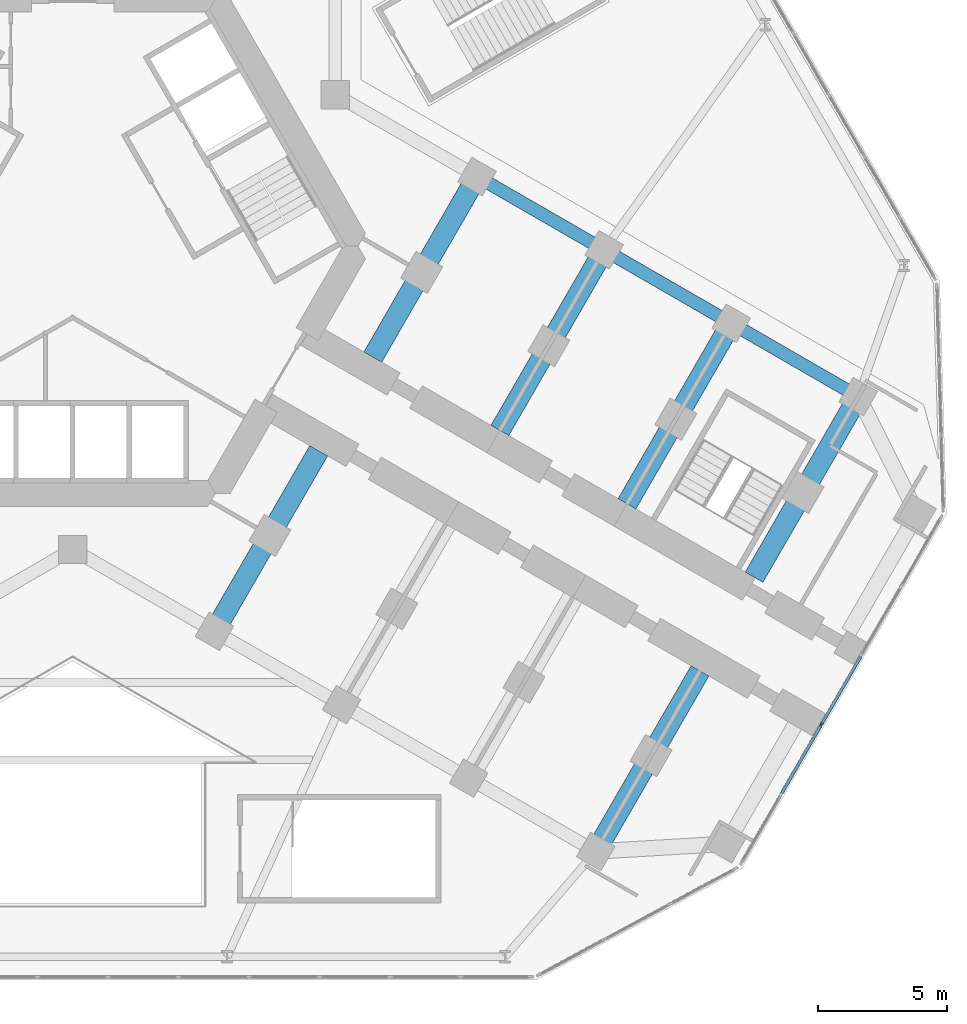
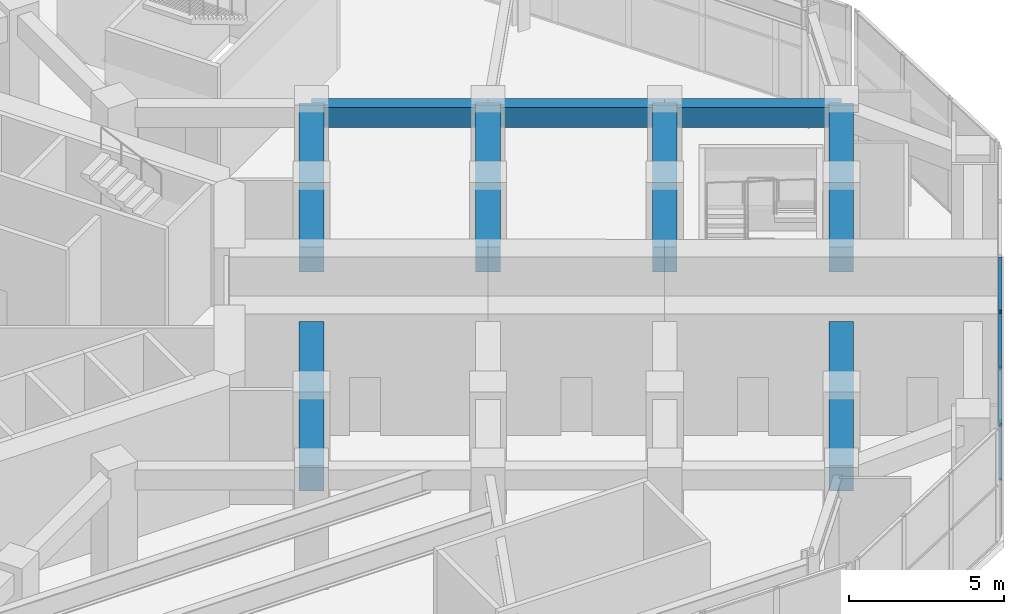
# One storey, part 6 of 22: 9 beams, 7 members, 1 element without a shape of its own.
"""IFC4 building model written with IfcOpenShell, lengths in metres."""

from ifc_helpers import new_model, si_unit, direction, frame, origin, origin_2d, place, context, subcontext, project, spatial, rectangle, extrude, material, material_profile, profile_set, type_object, element, aggregate, save


model = new_model("IFC4")

# Units and contexts
model_context = context("Model", 3, precision=1e-05, world=origin(), true_north=direction((0.0, 1.0)))
body_context = subcontext(model_context, "Body", "Model", "MODEL_VIEW")
ifc_project = project(units=[si_unit("LENGTHUNIT", "METRE"), si_unit("AREAUNIT", "SQUARE_METRE"), si_unit("VOLUMEUNIT", "CUBIC_METRE"), si_unit("PLANEANGLEUNIT", "RADIAN"), si_unit("MASSUNIT", "GRAM", prefix="KILO")], contexts=[model_context])

# Site, building, storey
site_placement = place(None, origin())
site = spatial("IfcSite", under=ifc_project, at=site_placement, CompositionType="ELEMENT")
building_placement = place(site_placement, origin())
building = spatial("IfcBuilding", under=site, at=building_placement, Name="Kosmar Iwan School Tower", CompositionType="ELEMENT")
storey_placement = place(building_placement, frame((0.0, 0.0, 15.60009765625)))
storey = spatial("IfcBuildingStorey", under=building, at=storey_placement, Name="L03", CompositionType="ELEMENT", Elevation=15.60009765625)

# Curtain wall, member
ifc_material_1 = material(Name="Dark glass in black aluminium frame", Category="aluminium")
curtain_wall_type = type_object("IfcCurtainWallType", Name="Tower curtain wall dark glass", PredefinedType="USERDEFINED", material=ifc_material_1)
curtain_wall_placement = place(storey_placement, origin())
curtain_wall = element("IfcCurtainWall", 1, at=curtain_wall_placement, inside=storey, type_object=curtain_wall_type, Name="Curtain wall L03-F02", ObjectType="UNITISED CURTAIN WALL", PredefinedType="USERDEFINED")
ifc_material_2 = material(Name="Black anodised aluminium", Category="aluminium")
ifc_material_profile_1 = material_profile(ifc_material_2, rectangle(XDim=0.06494140625, YDim=0.219970703125, at=origin_2d()), Name="MULLION 65x220")
ifc_profile_set_1 = profile_set([ifc_material_profile_1], Name="Black anodised aluminium")
member_type_1 = type_object("IfcMemberType", Name="Podium mullion 65x220", PredefinedType="MULLION", material=ifc_profile_set_1)
member_1_placement = place(storey_placement, frame((29.079833984375, -18.582275390625, 0.0), z_axis=(0.0, 0.0, 1.0), x_axis=(-0.866025395669, 0.500000014057, 0.0)))
member_1 = element("IfcMember", 2, at=member_1_placement, type_object=member_type_1, Name="CW1 mullion 3", PredefinedType="MULLION", context=body_context, shape_type="SweptSolid", body=[
    extrude(rectangle(XDim=0.06494140625, YDim=0.219970703125, at=origin_2d()), origin(), (0.0, 0.0, 1.0), 4.5),
])

# Beams
ifc_material_3 = material(Name="Concrete C50/60", Category="concrete")
ifc_material_profile_2 = material_profile(ifc_material_3, rectangle(XDim=0.5, YDim=0.800048828125, at=origin_2d()), Name="RC 500x800")
ifc_profile_set_2 = profile_set([ifc_material_profile_2], Name="Concrete C50/60")
beam_type_1 = type_object("IfcBeamType", Name="RC edge beam 500x800", PredefinedType="BEAM", material=ifc_profile_set_2)
beam_1_placement = place(storey_placement, frame((15.708740234375, 2.70849609375, 4.099853515625), z_axis=(0.866025820012, -0.499999279071, 0.0), x_axis=(0.499999279071, 0.866025820012, 0.0)))
element("IfcBeam", 3, at=beam_1_placement, inside=storey, type_object=beam_type_1, Name="Edge beam CL2", PredefinedType="BEAM", context=body_context, shape_type="SweptSolid", body=[
    extrude(rectangle(XDim=0.5, YDim=0.800048828125, at=origin_2d()), origin(), (0.0, 0.0, 1.0), 5.7001953125),
])
for number, where, z_axis, x_axis, name in (
    (4, (20.645263671875, -0.1416015625, 4.099853515625), (0.866033658841, -0.49998570155, 0.0), (0.49998570155, 0.866033658841, 0.0), "Edge beam CL3"),
    (5, (25.58154296875, -2.991455078125, 4.099853515625), (0.866015111908, -0.50001782563, 0.0), (0.50001782563, 0.866015111908, 0.0), "Edge beam CL4"),
):
    element("IfcBeam", number, at=place(storey_placement, frame(where, z_axis=z_axis, x_axis=x_axis)), inside=storey, type_object=beam_type_1, Name=name, PredefinedType="BEAM", context=body_context, shape_type="SweptSolid", body=[
        extrude(rectangle(XDim=0.5, YDim=0.800048828125, at=origin_2d()), origin(), (0.0, 0.0, 1.0), 5.699951171875),
    ])
ifc_material_4 = material(Name="Concrete C50/60", Category="concrete")
ifc_material_profile_3 = material_profile(ifc_material_4, rectangle(XDim=0.800048828125, YDim=1.0, at=origin_2d()), Name="RC 800x1000")
ifc_profile_set_3 = profile_set([ifc_material_profile_3], Name="Concrete C50/60")
beam_type_2 = type_object("IfcBeamType", Name="RC transverse beam 800x1000", PredefinedType="BEAM", material=ifc_profile_set_3)
beam_2_placement = place(storey_placement, frame((15.708740234375, 2.70849609375, 4.0), z_axis=(-0.499999880539, -0.866025472755, 0.0), x_axis=(0.866025472755, -0.499999880539, 0.0)))
element("IfcBeam", 6, at=beam_2_placement, inside=storey, type_object=beam_type_2, Name="Transverse beam CL1", PredefinedType="BEAM", context=body_context, shape_type="SweptSolid", body=[
    extrude(rectangle(XDim=0.800048828125, YDim=1.0, at=origin_2d()), origin(), (0.0, 0.0, 1.0), 8.10009765625),
])
beam_3_placement = place(storey_placement, frame((20.645263671875, -0.1416015625, 4.0), z_axis=(-0.500012932018, -0.866017937352, 0.0), x_axis=(0.866017937352, -0.500012932018, 0.0)))
element("IfcBeam", 7, at=beam_3_placement, inside=storey, type_object=beam_type_2, Name="Transverse beam CL2", PredefinedType="BEAM", context=body_context, shape_type="SweptSolid", body=[
    extrude(rectangle(XDim=0.800048828125, YDim=1.0, at=origin_2d()), origin(), (0.0, 0.0, 1.0), 8.099853515625),
])
for number, where, z_axis, x_axis, name in (
    (8, (25.58154296875, -2.991455078125, 4.0), (-0.499999880539, -0.866025472755, 0.0), (0.866025472755, -0.499999880539, 0.0), "Transverse beam CL3"),
    (9, (30.517822265625, -5.841552734375, 4.0), (-0.499999880539, -0.866025472755, 0.0), (0.866025472755, -0.499999880539, 0.0), "Transverse beam CL4"),
    (10, (5.5087890625, -14.95849609375, 4.0), (0.499999880539, 0.866025472755, 0.0), (-0.866025472755, 0.499999880539, 0.0), "Transverse beam CR1"),
    (11, (20.31787109375, -23.508544921875, 4.0), (0.499999880539, 0.866025472755, 0.0), (-0.866025472755, 0.499999880539, 0.0), "Transverse beam CR4"),
):
    element("IfcBeam", number, at=place(storey_placement, frame(where, z_axis=z_axis, x_axis=x_axis)), inside=storey, type_object=beam_type_2, Name=name, PredefinedType="BEAM", context=body_context, shape_type="SweptSolid", body=[
        extrude(rectangle(XDim=0.800048828125, YDim=1.0, at=origin_2d()), origin(), (0.0, 0.0, 1.0), 8.10009765625),
    ])

# Member
ifc_material_5 = material(Name="Black anodised aluminium", Category="aluminium")
ifc_material_profile_4 = material_profile(ifc_material_5, rectangle(XDim=0.1201171875, YDim=0.06005859375, at=origin_2d()), Name="TRANSOM 60x120")
ifc_profile_set_4 = profile_set([ifc_material_profile_4], Name="Black anodised aluminium")
member_type_2 = type_object("IfcMemberType", Name="Transom 60x120", PredefinedType="USERDEFINED", material=ifc_profile_set_4)
member_2_placement = place(storey_placement, frame((27.543212890625, -21.243896484375, 0.02978515625), z_axis=(0.49998193385, 0.86603583403, 0.0), x_axis=(-0.86603583403, 0.49998193385, 0.0)))
member_2 = element("IfcMember", 12, at=member_2_placement, type_object=member_type_2, Name="CW1 transom 2.1", ObjectType="TRANSOM", PredefinedType="USERDEFINED", context=body_context, shape_type="SweptSolid", body=[
    extrude(rectangle(XDim=0.1201171875, YDim=0.06005859375, at=origin_2d()), origin(), (0.0, 0.0, 1.0), 3.04052734375),
])

member_3_placement = place(storey_placement, frame((27.543212890625, -21.243896484375, 2.25), z_axis=(0.49998193385, 0.86603583403, 0.0), x_axis=(-0.86603583403, 0.49998193385, 0.0)))
member_3 = element("IfcMember", 13, at=member_3_placement, type_object=member_type_2, Name="CW1 transom 2.2", ObjectType="TRANSOM", PredefinedType="USERDEFINED", context=body_context, shape_type="SweptSolid", body=[
    extrude(rectangle(XDim=0.1201171875, YDim=0.06005859375, at=origin_2d()), origin(), (0.0, 0.0, 1.0), 3.04052734375),
])

member_4_placement = place(storey_placement, frame((27.543212890625, -21.243896484375, 4.469970703125), z_axis=(0.49998193385, 0.86603583403, 0.0), x_axis=(-0.86603583403, 0.49998193385, 0.0)))
member_4 = element("IfcMember", 14, at=member_4_placement, type_object=member_type_2, Name="CW1 transom 2.3", ObjectType="TRANSOM", PredefinedType="USERDEFINED", context=body_context, shape_type="SweptSolid", body=[
    extrude(rectangle(XDim=0.1201171875, YDim=0.06005859375, at=origin_2d()), origin(), (0.0, 0.0, 1.0), 3.04052734375),
])

member_5_placement = place(storey_placement, frame((29.095947265625, -18.55419921875, 0.02978515625), z_axis=(0.500042151114, 0.86600106646, 0.0), x_axis=(-0.86600106646, 0.500042151114, 0.0)))
member_5 = element("IfcMember", 15, at=member_5_placement, type_object=member_type_2, Name="CW1 transom 3.1", ObjectType="TRANSOM", PredefinedType="USERDEFINED", context=body_context, shape_type="SweptSolid", body=[
    extrude(rectangle(XDim=0.1201171875, YDim=0.06005859375, at=origin_2d()), origin(), (0.0, 0.0, 1.0), 3.040771484375),
])

member_6_placement = place(storey_placement, frame((29.095947265625, -18.55419921875, 2.25), z_axis=(0.500042151114, 0.86600106646, 0.0), x_axis=(-0.86600106646, 0.500042151114, 0.0)))
member_6 = element("IfcMember", 16, at=member_6_placement, type_object=member_type_2, Name="CW1 transom 3.2", ObjectType="TRANSOM", PredefinedType="USERDEFINED", context=body_context, shape_type="SweptSolid", body=[
    extrude(rectangle(XDim=0.1201171875, YDim=0.06005859375, at=origin_2d()), origin(), (0.0, 0.0, 1.0), 3.040771484375),
])

member_7_placement = place(storey_placement, frame((29.095947265625, -18.55419921875, 4.469970703125), z_axis=(0.500042151114, 0.86600106646, 0.0), x_axis=(-0.86600106646, 0.500042151114, 0.0)))
member_7 = element("IfcMember", 17, at=member_7_placement, type_object=member_type_2, Name="CW1 transom 3.3", ObjectType="TRANSOM", PredefinedType="USERDEFINED", context=body_context, shape_type="SweptSolid", body=[
    extrude(rectangle(XDim=0.1201171875, YDim=0.06005859375, at=origin_2d()), origin(), (0.0, 0.0, 1.0), 3.040771484375),
])

aggregate(curtain_wall, [member_1, member_2, member_3, member_4, member_5, member_6, member_7])

save(model, "model.ifc")
